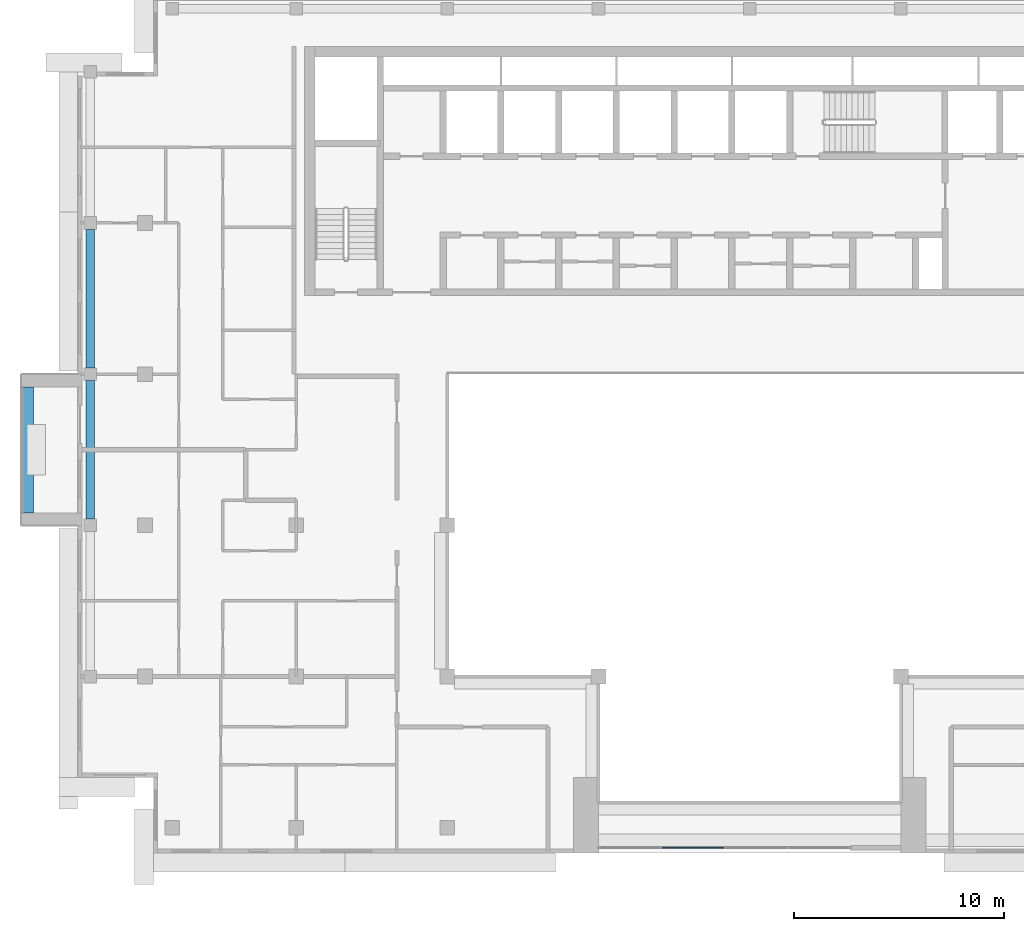
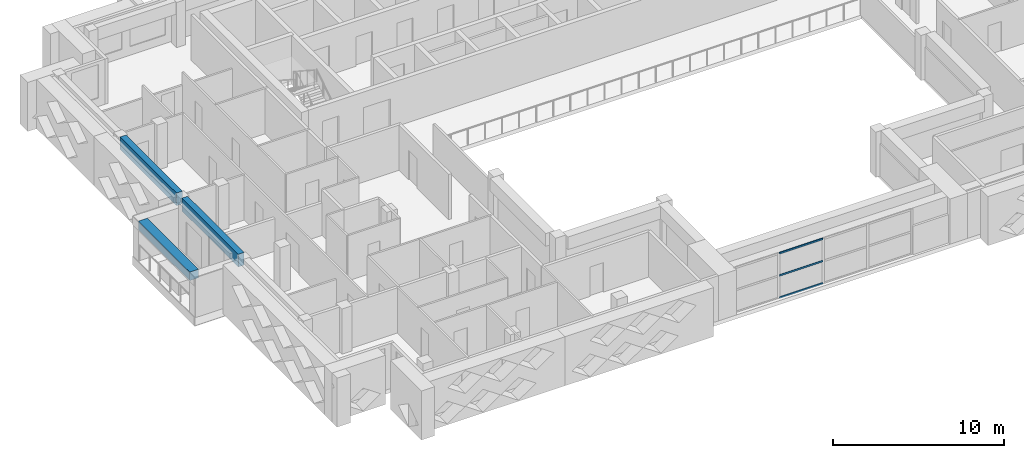
# One storey, part 3 of 18: 3 beams, 3 members, 1 element without a shape of its own.
"""IFC4 building model written with IfcOpenShell, lengths in metres."""

from ifc_helpers import new_model, si_unit, direction, frame, origin, origin_2d, place, context, subcontext, project, spatial, rectangle, extrude, source, transform, mapped, material, layer, layer_set, material_profile, profile_set, type_object, element, aggregate, save


model = new_model("IFC4")

# Units and contexts
model_context = context("Model", 3, precision=1e-05, world=origin(), true_north=direction((0.0, 1.0)))
body_context = subcontext(model_context, "Body", "Model", "MODEL_VIEW")
ifc_project = project(units=[si_unit("LENGTHUNIT", "METRE"), si_unit("AREAUNIT", "SQUARE_METRE"), si_unit("VOLUMEUNIT", "CUBIC_METRE"), si_unit("PLANEANGLEUNIT", "RADIAN"), si_unit("MASSUNIT", "GRAM", prefix="KILO")], contexts=[model_context])

# Site, building, storey
site_placement = place(None, origin())
site = spatial("IfcSite", under=ifc_project, at=site_placement, CompositionType="ELEMENT")
building_placement = place(site_placement, origin())
building = spatial("IfcBuilding", under=site, at=building_placement, Name="Saffron Iwan Residences", CompositionType="ELEMENT")
storey_placement = place(building_placement, frame((0.0, 0.0, 260.5)))
storey = spatial("IfcBuildingStorey", under=building, at=storey_placement, Name="L70", CompositionType="ELEMENT", Elevation=260.5)

# Beams
ifc_material_1 = material(Name="Concrete C40/50", Category="concrete")
ifc_material_profile_1 = material_profile(ifc_material_1, rectangle(XDim=0.39990234375, YDim=0.89990234375, at=origin_2d()), Name="RC 400x900")
ifc_profile_set_1 = profile_set([ifc_material_profile_1], Name="Concrete C40/50")
beam_type_1 = type_object("IfcBeamType", Name="SPANDREL BEAM RC 400x900 C40/50 TOP 3220", PredefinedType="SPANDREL", material=ifc_profile_set_1)
shared_shape_1 = source(origin(), body_context, "Body", "SweptSolid", [
    extrude(rectangle(XDim=0.39990234375, YDim=0.89990234375, at=origin_2d()), origin(), (0.0, 0.0, 1.0), 6.60009765625),
])
for number, where, z_axis, x_axis, name in (
    (1, (19.0, 55.5, 2.77001953125), (0.0, 1.0, 0.0), (-1.0, 0.0, 0.0), "Spandrel beam"),
    (2, (19.0, 62.699951171875, 2.77001953125), (0.0, 1.0, 0.0), (-1.0, 0.0, 0.0), "Spandrel beam"),
):
    element("IfcBeam", number, at=place(storey_placement, frame(where, z_axis=z_axis, x_axis=x_axis)), inside=storey, type_object=beam_type_1, Name=name, PredefinedType="SPANDREL", context=body_context, shape_type="MappedRepresentation", body=[
        mapped(shared_shape_1, transform((0.0, 0.0, 0.0))),
    ])

# Curtain wall, members
ifc_material_2 = material(Name="Clear glass, laminated double glazed", Category="glass")
ifc_layer = layer(ifc_material_2, 0.199951171875)
ifc_layer_set = layer_set([ifc_layer], Name="Clear glass, laminated double glazed")
curtain_wall_type = type_object("IfcCurtainWallType", Name="CW-B IWAN PORTAL", PredefinedType="NOTDEFINED", material=ifc_layer_set)
curtain_wall_placement = place(storey_placement, origin())
curtain_wall = element("IfcCurtainWall", 3, at=curtain_wall_placement, inside=storey, type_object=curtain_wall_type, Name="Iwan portal glazing L70.1", PredefinedType="NOTDEFINED")
ifc_material_3 = material(Name="Aluminium 6063-T6", Category="aluminium")
ifc_material_profile_2 = material_profile(ifc_material_3, rectangle(XDim=0.06005859375, YDim=0.1201171875, at=origin_2d()), Name="CW-B TRANSOM 60 x 120")
ifc_profile_set_2 = profile_set([ifc_material_profile_2], Name="Aluminium 6063-T6")
member_type = type_object("IfcMemberType", Name="CW-B TRANSOM 60 x 120", PredefinedType="USERDEFINED", material=ifc_profile_set_2)
shared_shape_2 = source(origin(), body_context, "Body", "SweptSolid", [
    extrude(rectangle(XDim=0.06005859375, YDim=0.1201171875, at=origin_2d()), origin(), (0.0, 0.0, 1.0), 2.93994140625),
])
member_1_placement = place(storey_placement, frame((46.22998046875, 39.85009765625, 0.030029296875), z_axis=(1.0, 0.0, 0.0), x_axis=(0.0, 1.0, 0.0)))
member_1 = element("IfcMember", 4, at=member_1_placement, type_object=member_type, Name="CW-B transom 2.1", ObjectType="TRANSOM", PredefinedType="USERDEFINED", context=body_context, shape_type="MappedRepresentation", body=[
    mapped(shared_shape_2, transform((0.0, 0.0, 0.0))),
])
member_2_placement = place(storey_placement, frame((46.22998046875, 39.85009765625, 1.610107421875), z_axis=(1.0, 0.0, 0.0), x_axis=(0.0, 1.0, 0.0)))
member_2 = element("IfcMember", 5, at=member_2_placement, type_object=member_type, Name="CW-B transom 2.2", ObjectType="TRANSOM", PredefinedType="USERDEFINED", context=body_context, shape_type="MappedRepresentation", body=[
    mapped(shared_shape_2, transform((0.0, 0.0, 0.0))),
])
member_3_placement = place(storey_placement, frame((46.22998046875, 39.85009765625, 3.18994140625), z_axis=(1.0, 0.0, 0.0), x_axis=(0.0, 1.0, 0.0)))
member_3 = element("IfcMember", 6, at=member_3_placement, type_object=member_type, Name="CW-B transom 2.3", ObjectType="TRANSOM", PredefinedType="USERDEFINED", context=body_context, shape_type="MappedRepresentation", body=[
    mapped(shared_shape_2, transform((0.0, 0.0, 0.0))),
])
aggregate(curtain_wall, [member_1, member_2, member_3])

# Beam
ifc_material_4 = material(Name="Concrete C50/60 white painted", Category="concrete")
ifc_material_profile_3 = material_profile(ifc_material_4, rectangle(XDim=0.60009765625, YDim=0.60009765625, at=origin_2d()), Name="BALCONY FASCIA BEAM 600 x 600")
ifc_profile_set_3 = profile_set([ifc_material_profile_3], Name="Concrete C50/60 white painted")
beam_type_2 = type_object("IfcBeamType", Name="BALCONY FASCIA BEAM 600 x 600", PredefinedType="BEAM", material=ifc_profile_set_3)
shared_shape_3 = source(origin(), body_context, "Body", "SweptSolid", [
    extrude(rectangle(XDim=0.60009765625, YDim=0.60009765625, at=origin_2d()), origin(), (0.0, 0.0, 1.0), 6.0),
])
beam_placement = place(storey_placement, frame((16.0, 61.800048828125, 2.550048828125), z_axis=(0.0, -1.0, 0.0), x_axis=(1.0, 0.0, 0.0)))
element("IfcBeam", 7, at=beam_placement, inside=storey, type_object=beam_type_2, Name="Balcony fascia beam L70 F8-0", PredefinedType="BEAM", context=body_context, shape_type="MappedRepresentation", body=[
    mapped(shared_shape_3, transform((0.0, 0.0, 0.0))),
])

save(model, "model.ifc")
